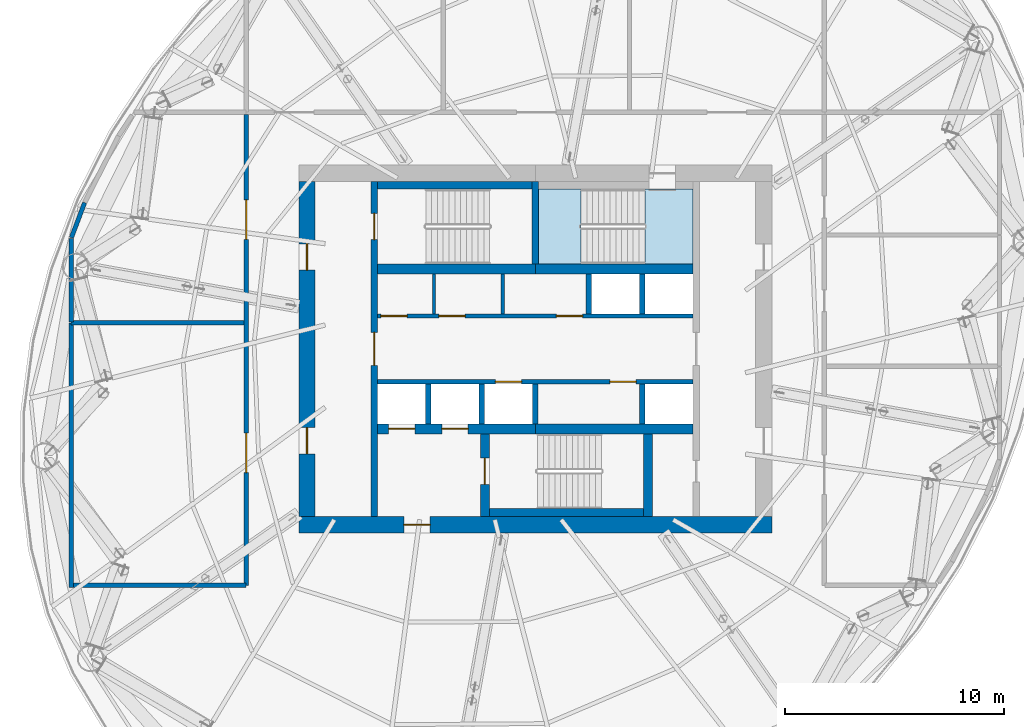
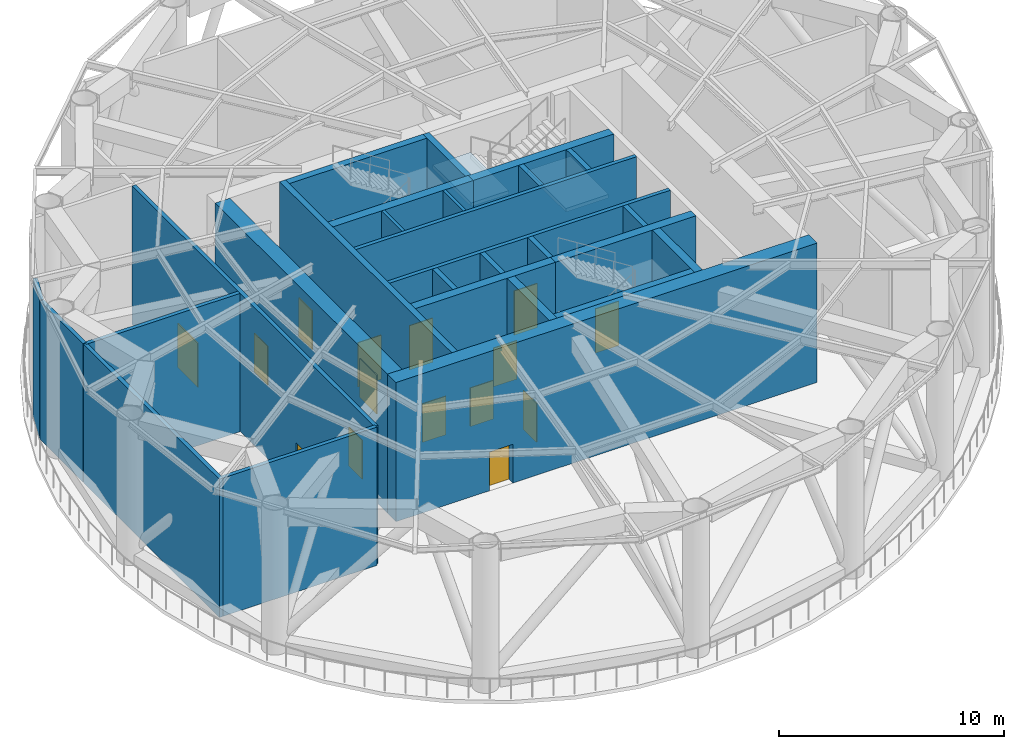
# One storey, part 5 of 15: 28 walls, 15 doors, 2 slabs, 15 openings, 1 element without a shape of its own.
"""IFC4 building model written with IfcOpenShell, lengths in metres."""

from ifc_helpers import new_model, si_unit, direction, frame, frame_2d, origin, place, context, subcontext, project, spatial, polyline, rectangle, outline, extrude, material, layer, layer_set, type_object, element, fill, aggregate, save


model = new_model("IFC4")

# Units and contexts
model_context = context("Model", 3, precision=1e-05, world=origin(), true_north=direction((0.0, 1.0)))
body_context = subcontext(model_context, "Body", "Model", "MODEL_VIEW")
ifc_project = project(units=[si_unit("LENGTHUNIT", "METRE"), si_unit("AREAUNIT", "SQUARE_METRE"), si_unit("VOLUMEUNIT", "CUBIC_METRE"), si_unit("PLANEANGLEUNIT", "RADIAN"), si_unit("MASSUNIT", "GRAM", prefix="KILO")], contexts=[model_context])

# Site, building, storey
site_placement = place(None, origin())
site = spatial("IfcSite", under=ifc_project, at=site_placement, CompositionType="ELEMENT")
building_placement = place(site_placement, origin())
building = spatial("IfcBuilding", under=site, at=building_placement, Name="Vermilion Reach Broadcast Tower", CompositionType="ELEMENT")
storey_placement = place(building_placement, frame((0.0, 0.0, 246.10009765625)))
storey = spatial("IfcBuildingStorey", under=building, at=storey_placement, Name="L61", CompositionType="ELEMENT", Elevation=246.10009765625)

# Stair, slabs
ifc_material_1 = material(Name="Concrete C40", Category="concrete")
stair_type = type_object("IfcStairType", Name="Exit stair RC 48 risers 167 mm", PredefinedType="HALF_TURN_STAIR", material=ifc_material_1)
stair_placement = place(storey_placement, origin())
stair = element("IfcStair", 1, at=stair_placement, inside=storey, type_object=stair_type, Name="L61 Exit stair ST2", PredefinedType="HALF_TURN_STAIR")
ifc_material_2 = material(Name="Concrete C40", Category="concrete")
ifc_layer_1 = layer(ifc_material_2, 0.199951171875)
ifc_layer_set_1 = layer_set([ifc_layer_1], Name="Exit stair landing Concrete C40")
slab_type = type_object("IfcSlabType", Name="Exit stair landing Concrete C40", PredefinedType="LANDING", material=ifc_layer_set_1)
slab_1_placement = place(storey_placement, frame((0.0, 0.0, 3.7998046875)))
slab_1 = element("IfcSlab", 2, at=slab_1_placement, type_object=slab_type, Name="ST2 landing 2", PredefinedType="LANDING", context=body_context, shape_type="SweptSolid", body=[
    extrude(outline(polyline([(1.199951171875, 7.300048828125), (-1.0, 7.300048828125), (-1.0, 3.8798828125), (1.199951171875, 3.8798828125), (1.199951171875, 7.300048828125)])), origin(), (0.0, 0.0, 1.0), 0.2001953125),
])
slab_2_placement = place(storey_placement, frame((0.0, 0.0, 5.7998046875)))
slab_2 = element("IfcSlab", 3, at=slab_2_placement, type_object=slab_type, Name="ST2 landing 3", PredefinedType="LANDING", context=body_context, shape_type="SweptSolid", body=[
    extrude(outline(polyline([(-3.9150390625, 7.300048828125), (-5.85009765625, 7.300048828125), (-5.85009765625, 3.8798828125), (-3.9150390625, 3.8798828125), (-3.9150390625, 7.300048828125)])), origin(), (0.0, 0.0, 1.0), 0.2001953125),
])
aggregate(stair, [slab_1, slab_2])

# Wall, openings, doors
ifc_material_3 = material(Name="Concrete C60", Category="concrete")
ifc_layer_2 = layer(ifc_material_3, 0.300048828125)
ifc_layer_set_2 = layer_set([ifc_layer_2], Name="Core inner wall 300 mm Concrete C60")
wall_type_1 = type_object("IfcWallType", Name="Core inner wall 300 mm Concrete C60", PredefinedType="SHEAR", material=ifc_layer_set_2)
wall_1_placement = place(storey_placement, frame((-13.35009765625, 7.64990234375, 0.0), z_axis=(0.0, 0.0, 1.0), x_axis=(0.0, -1.0, 0.0)))
wall_1 = element("IfcWall", 4, at=wall_1_placement, inside=storey, type_object=wall_type_1, Name="L61 core wall ewW", PredefinedType="SHEAR", context=body_context, shape_type="SweptSolid", body=[
    extrude(rectangle(XDim=15.2998046875, YDim=0.300048828125, at=frame_2d((7.64990234375, 0.0))), origin(), (0.0, 0.0, 1.0), 7.5498046875),
])
opening_1_placement = place(wall_1_placement, frame((1.4599609375, 0.0, 0.0)))
opening_1 = element("IfcOpeningElement", 5, at=opening_1_placement, cuts=wall_1, Name="Opening D01", PredefinedType="OPENING", context=body_context, shape_type="SweptSolid", body=[
    extrude(rectangle(XDim=1.199951171875, YDim=2.10009765625, at=frame_2d((0.60009765625, 1.050048828125))), frame((0.0, 0.159912109375, 0.0), z_axis=(0.0, -1.0, 0.0), x_axis=(1.0, 0.0, 0.0)), (0.0, 0.0, 1.0), 0.320068359375),
])
opening_2_placement = place(wall_1_placement, frame((6.89990234375, 0.0, 0.0)))
opening_2 = element("IfcOpeningElement", 6, at=opening_2_placement, cuts=wall_1, Name="Opening D04", PredefinedType="OPENING", context=body_context, shape_type="SweptSolid", body=[
    extrude(rectangle(XDim=1.5, YDim=2.10009765625, at=frame_2d((0.75, 1.050048828125))), frame((0.0, 0.159912109375, 0.0), z_axis=(0.0, -1.0, 0.0), x_axis=(1.0, 0.0, 0.0)), (0.0, 0.0, 1.0), 0.320068359375),
])
ifc_material_4 = material(Name="Painted steel fire door", Category="steel")
door_type_1 = type_object("IfcDoorType", Name="Lift lobby door 1500 x 2100", OperationType="DOUBLE_DOOR_SINGLE_SWING", PredefinedType="NOTDEFINED", material=ifc_material_4)
door_1_placement = place(opening_2_placement, origin())
door_1 = element("IfcDoor", 7, at=door_1_placement, inside=storey, type_object=door_type_1, Name="L61 band door BW", OperationType="DOUBLE_DOOR_SINGLE_SWING", OverallHeight=2.10009765625, OverallWidth=1.5, PredefinedType="NOTDEFINED", context=body_context, shape_type="SweptSolid", body=[
    extrude(rectangle(XDim=1.5, YDim=2.10009765625, at=frame_2d((0.75, 1.050048828125))), frame((0.0, 0.02490234375, 0.0), z_axis=(0.0, -1.0, 0.0), x_axis=(1.0, 0.0, 0.0)), (0.0, 0.0, 1.0), 0.050048828125),
])
fill(opening_2, door_1)
ifc_material_5 = material(Name="Painted steel fire door", Category="steel")
door_type_2 = type_object("IfcDoorType", Name="Stair door 1200 x 2100", OperationType="DOUBLE_DOOR_SINGLE_SWING", PredefinedType="NOTDEFINED", material=ifc_material_5)
door_2_placement = place(opening_1_placement, origin())
door_2 = element("IfcDoor", 8, at=door_2_placement, inside=storey, type_object=door_type_2, Name="L61 stair door ST1", OperationType="DOUBLE_DOOR_SINGLE_SWING", OverallHeight=2.10009765625, OverallWidth=1.199951171875, PredefinedType="NOTDEFINED", context=body_context, shape_type="SweptSolid", body=[
    extrude(rectangle(XDim=1.199951171875, YDim=2.10009765625, at=frame_2d((0.60009765625, 1.050048828125))), frame((0.0, 0.02490234375, 0.0), z_axis=(0.0, -1.0, 0.0), x_axis=(1.0, 0.0, 0.0)), (0.0, 0.0, 1.0), 0.050048828125),
])
fill(opening_1, door_2)

# Wall
wall_2_placement = place(storey_placement, frame((-6.0, 3.8798828125, 0.0), z_axis=(0.0, 0.0, 1.0), x_axis=(0.0, 1.0, 0.0)))
element("IfcWall", 9, at=wall_2_placement, inside=storey, type_object=wall_type_1, Name="L61 core wall wc", PredefinedType="SHEAR", context=body_context, shape_type="SweptSolid", body=[
    extrude(rectangle(XDim=3.77001953125, YDim=0.300048828125, at=frame_2d((1.885009765625, 0.0))), origin(), (0.0, 0.0, 1.0), 7.5498046875),
])

# Wall, opening, door
ifc_material_6 = material(Name="Concrete C60", Category="concrete")
ifc_layer_3 = layer(ifc_material_6, 0.39990234375)
ifc_layer_set_3 = layer_set([ifc_layer_3], Name="Core inner wall 400 mm Concrete C60")
wall_type_2 = type_object("IfcWallType", Name="Core inner wall 400 mm Concrete C60", PredefinedType="SHEAR", material=ifc_layer_set_3)
wall_3_placement = place(storey_placement, frame((-8.300048828125, -3.8798828125, 0.0), z_axis=(0.0, 0.0, 1.0), x_axis=(0.0, -1.0, 0.0)))
wall_3 = element("IfcWall", 10, at=wall_3_placement, inside=storey, type_object=wall_type_2, Name="L61 core wall wa", PredefinedType="SHEAR", context=body_context, shape_type="SweptSolid", body=[
    extrude(rectangle(XDim=3.77001953125, YDim=0.39990234375, at=frame_2d((1.885009765625, 0.0))), origin(), (0.0, 0.0, 1.0), 7.5498046875),
])
opening_3_placement = place(wall_3_placement, frame((1.110107421875, 0.0, 0.0)))
opening_3 = element("IfcOpeningElement", 11, at=opening_3_placement, cuts=wall_3, Name="Opening D01", PredefinedType="OPENING", context=body_context, shape_type="SweptSolid", body=[
    extrude(rectangle(XDim=1.199951171875, YDim=2.10009765625, at=frame_2d((0.60009765625, 1.050048828125))), frame((0.0, 0.2099609375, 0.0), z_axis=(0.0, -1.0, 0.0), x_axis=(1.0, 0.0, 0.0)), (0.0, 0.0, 1.0), 0.419921875),
])
door_3_placement = place(opening_3_placement, origin())
door_3 = element("IfcDoor", 12, at=door_3_placement, inside=storey, type_object=door_type_2, Name="L61 stair door ST3", OperationType="DOUBLE_DOOR_SINGLE_SWING", OverallHeight=2.10009765625, OverallWidth=1.199951171875, PredefinedType="NOTDEFINED", context=body_context, shape_type="SweptSolid", body=[
    extrude(rectangle(XDim=1.199951171875, YDim=2.10009765625, at=frame_2d((0.60009765625, 1.050048828125))), frame((0.0, 0.02490234375, 0.0), z_axis=(0.0, -1.0, 0.0), x_axis=(1.0, 0.0, 0.0)), (0.0, 0.0, 1.0), 0.050048828125),
])
fill(opening_3, door_3)

# Walls
wall_4_placement = place(storey_placement, frame((-0.85009765625, -3.8798828125, 0.0), z_axis=(0.0, 0.0, 1.0), x_axis=(0.0, -1.0, 0.0)))
element("IfcWall", 13, at=wall_4_placement, inside=storey, type_object=wall_type_2, Name="L61 core wall wb", PredefinedType="SHEAR", context=body_context, shape_type="SweptSolid", body=[
    extrude(rectangle(XDim=3.77001953125, YDim=0.39990234375, at=frame_2d((1.885009765625, 0.0))), origin(), (0.0, 0.0, 1.0), 7.5498046875),
])
ifc_material_7 = material(Name="Concrete C60", Category="concrete")
ifc_layer_4 = layer(ifc_material_7, 0.449951171875)
ifc_layer_set_4 = layer_set([ifc_layer_4], Name="Core inner wall 450 mm Concrete C60")
wall_type_3 = type_object("IfcWallType", Name="Core inner wall 450 mm Concrete C60", PredefinedType="SHEAR", material=ifc_layer_set_4)
for number, where, z_axis, x_axis, name in (
    (14, (-13.199951171875, 3.655029296875, 0.0), (0.0, 0.0, 1.0), (1.0, 0.0, 0.0), "L61 core wall winW"),
    (15, (-6.0, 3.655029296875, 0.0), (0.0, 0.0, 1.0), (1.0, 0.0, 0.0), "L61 core wall winE"),
):
    element("IfcWall", number, at=place(storey_placement, frame(where, z_axis=z_axis, x_axis=x_axis)), inside=storey, type_object=wall_type_3, Name=name, PredefinedType="SHEAR", context=body_context, shape_type="SweptSolid", body=[
        extrude(rectangle(XDim=7.199951171875, YDim=0.449951171875, at=frame_2d((3.60009765625, 0.0))), origin(), (0.0, 0.0, 1.0), 7.5498046875),
    ])

# Wall, openings, doors
wall_5_placement = place(storey_placement, frame((-13.199951171875, -3.655029296875, 0.0), z_axis=(0.0, 0.0, 1.0), x_axis=(1.0, 0.0, 0.0)))
wall_5 = element("IfcWall", 16, at=wall_5_placement, inside=storey, type_object=wall_type_3, Name="L61 core wall wisW", PredefinedType="SHEAR", context=body_context, shape_type="SweptSolid", body=[
    extrude(rectangle(XDim=7.199951171875, YDim=0.449951171875, at=frame_2d((3.60009765625, 0.0))), origin(), (0.0, 0.0, 1.0), 7.5498046875),
])
opening_4_placement = place(wall_5_placement, frame((0.495849609375, 0.0, 0.0)))
opening_4 = element("IfcOpeningElement", 17, at=opening_4_placement, cuts=wall_5, Name="Opening LD1", PredefinedType="OPENING", context=body_context, shape_type="SweptSolid", body=[
    extrude(rectangle(XDim=1.199951171875, YDim=2.10009765625, at=frame_2d((0.60009765625, 1.050048828125))), frame((0.0, 0.23486328125, 0.0), z_axis=(0.0, -1.0, 0.0), x_axis=(1.0, 0.0, 0.0)), (0.0, 0.0, 1.0), 0.469970703125),
])
opening_5_placement = place(wall_5_placement, frame((2.9375, 0.0, 0.0)))
opening_5 = element("IfcOpeningElement", 18, at=opening_5_placement, cuts=wall_5, Name="Opening LD1", PredefinedType="OPENING", context=body_context, shape_type="SweptSolid", body=[
    extrude(rectangle(XDim=1.199951171875, YDim=2.10009765625, at=frame_2d((0.60009765625, 1.050048828125))), frame((0.0, 0.23486328125, 0.0), z_axis=(0.0, -1.0, 0.0), x_axis=(1.0, 0.0, 0.0)), (0.0, 0.0, 1.0), 0.469970703125),
])
ifc_material_8 = material(Name="Stainless steel", Category="steel")
door_type_3 = type_object("IfcDoorType", Name="Landing door 1200 x 2100", OperationType="DOUBLE_DOOR_SLIDING", PredefinedType="NOTDEFINED", material=ifc_material_8)
door_4_placement = place(opening_4_placement, origin())
door_4 = element("IfcDoor", 19, at=door_4_placement, inside=storey, type_object=door_type_3, Name="L61 landing door FF1", OperationType="DOUBLE_DOOR_SLIDING", OverallHeight=2.10009765625, OverallWidth=1.199951171875, PredefinedType="NOTDEFINED", context=body_context, shape_type="SweptSolid", body=[
    extrude(rectangle(XDim=1.199951171875, YDim=2.10009765625, at=frame_2d((0.60009765625, 1.050048828125))), frame((0.0, 0.02490234375, 0.0), z_axis=(0.0, -1.0, 0.0), x_axis=(1.0, 0.0, 0.0)), (0.0, 0.0, 1.0), 0.050048828125),
])
fill(opening_4, door_4)
door_5_placement = place(opening_5_placement, origin())
door_5 = element("IfcDoor", 20, at=door_5_placement, inside=storey, type_object=door_type_3, Name="L61 landing door FF2", OperationType="DOUBLE_DOOR_SLIDING", OverallHeight=2.10009765625, OverallWidth=1.199951171875, PredefinedType="NOTDEFINED", context=body_context, shape_type="SweptSolid", body=[
    extrude(rectangle(XDim=1.199951171875, YDim=2.10009765625, at=frame_2d((0.60009765625, 1.050048828125))), frame((0.0, 0.02490234375, 0.0), z_axis=(0.0, -1.0, 0.0), x_axis=(1.0, 0.0, 0.0)), (0.0, 0.0, 1.0), 0.050048828125),
])
fill(opening_5, door_5)

# Wall
wall_6_placement = place(storey_placement, frame((-6.0, -3.655029296875, 0.0), z_axis=(0.0, 0.0, 1.0), x_axis=(1.0, 0.0, 0.0)))
element("IfcWall", 21, at=wall_6_placement, inside=storey, type_object=wall_type_3, Name="L61 core wall wisE", PredefinedType="SHEAR", context=body_context, shape_type="SweptSolid", body=[
    extrude(rectangle(XDim=7.199951171875, YDim=0.449951171875, at=frame_2d((3.60009765625, 0.0))), origin(), (0.0, 0.0, 1.0), 7.5498046875),
])

# Wall, opening, door
ifc_material_9 = material(Name="Concrete C60", Category="concrete")
ifc_layer_5 = layer(ifc_material_9, 0.75)
ifc_layer_set_5 = layer_set([ifc_layer_5], Name="Core outer wall 750 mm Concrete C60")
wall_type_4 = type_object("IfcWallType", Name="Core outer wall 750 mm Concrete C60", PredefinedType="SHEAR", material=ifc_layer_set_5)
wall_7_placement = place(storey_placement, frame((-16.800048828125, -8.02490234375, 0.0), z_axis=(0.0, 0.0, 1.0), x_axis=(1.0, 0.0, 0.0)))
wall_7 = element("IfcWall", 22, at=wall_7_placement, inside=storey, type_object=wall_type_4, Name="L61 core wall os", PredefinedType="SHEAR", context=body_context, shape_type="SweptSolid", body=[
    extrude(rectangle(XDim=21.60009765625, YDim=0.75, at=frame_2d((10.800048828125, 0.0))), origin(), (0.0, 0.0, 1.0), 7.5498046875),
])
opening_6_placement = place(wall_7_placement, frame((4.800048828125, 0.0, 0.0)))
opening_6 = element("IfcOpeningElement", 23, at=opening_6_placement, cuts=wall_7, Name="Opening D02", PredefinedType="OPENING", context=body_context, shape_type="SweptSolid", body=[
    extrude(rectangle(XDim=1.199951171875, YDim=2.10009765625, at=frame_2d((0.60009765625, 1.050048828125))), frame((0.0, 0.385009765625, 0.0), z_axis=(0.0, -1.0, 0.0), x_axis=(1.0, 0.0, 0.0)), (0.0, 0.0, 1.0), 0.77001953125),
])
ifc_material_10 = material(Name="Painted steel fire door", Category="steel")
door_type_4 = type_object("IfcDoorType", Name="Firefighting lobby door 1200 x 2100", OperationType="DOUBLE_DOOR_SINGLE_SWING", PredefinedType="NOTDEFINED", material=ifc_material_10)
door_6_placement = place(opening_6_placement, origin())
door_6 = element("IfcDoor", 24, at=door_6_placement, inside=storey, type_object=door_type_4, Name="L61 ffdoor door FFL", OperationType="DOUBLE_DOOR_SINGLE_SWING", OverallHeight=2.10009765625, OverallWidth=1.199951171875, PredefinedType="NOTDEFINED", context=body_context, shape_type="SweptSolid", body=[
    extrude(rectangle(XDim=1.199951171875, YDim=2.10009765625, at=frame_2d((0.60009765625, 1.050048828125))), frame((0.0, 0.02490234375, 0.0), z_axis=(0.0, -1.0, 0.0), x_axis=(1.0, 0.0, 0.0)), (0.0, 0.0, 1.0), 0.050048828125),
])
fill(opening_6, door_6)

# Wall, openings, doors
wall_8_placement = place(storey_placement, frame((-16.425048828125, 7.64990234375, 0.0), z_axis=(0.0, 0.0, 1.0), x_axis=(0.0, -1.0, 0.0)))
wall_8 = element("IfcWall", 25, at=wall_8_placement, inside=storey, type_object=wall_type_4, Name="L61 core wall ow", PredefinedType="SHEAR", context=body_context, shape_type="SweptSolid", body=[
    extrude(rectangle(XDim=15.2998046875, YDim=0.75, at=frame_2d((7.64990234375, 0.0))), origin(), (0.0, 0.0, 1.0), 7.5498046875),
])
opening_7_placement = place(wall_8_placement, frame((11.25, 0.0, 0.0)))
opening_7 = element("IfcOpeningElement", 26, at=opening_7_placement, cuts=wall_8, Name="Opening D03", PredefinedType="OPENING", context=body_context, shape_type="SweptSolid", body=[
    extrude(rectangle(XDim=1.199951171875, YDim=2.10009765625, at=frame_2d((0.60009765625, 1.050048828125))), frame((0.0, 0.385009765625, 0.0), z_axis=(0.0, -1.0, 0.0), x_axis=(1.0, 0.0, 0.0)), (0.0, 0.0, 1.0), 0.77001953125),
])
opening_8_placement = place(wall_8_placement, frame((2.85009765625, 0.0, 0.0)))
opening_8 = element("IfcOpeningElement", 27, at=opening_8_placement, cuts=wall_8, Name="Opening D03", PredefinedType="OPENING", context=body_context, shape_type="SweptSolid", body=[
    extrude(rectangle(XDim=1.199951171875, YDim=2.10009765625, at=frame_2d((0.60009765625, 1.050048828125))), frame((0.0, 0.385009765625, 0.0), z_axis=(0.0, -1.0, 0.0), x_axis=(1.0, 0.0, 0.0)), (0.0, 0.0, 1.0), 0.77001953125),
])
ifc_material_11 = material(Name="Painted steel fire door", Category="steel")
door_type_5 = type_object("IfcDoorType", Name="Core lobby door 1200 x 2100", OperationType="DOUBLE_DOOR_SINGLE_SWING", PredefinedType="NOTDEFINED", material=ifc_material_11)
door_7_placement = place(opening_7_placement, origin())
door_7 = element("IfcDoor", 28, at=door_7_placement, inside=storey, type_object=door_type_5, Name="L61 slot door W0", OperationType="DOUBLE_DOOR_SINGLE_SWING", OverallHeight=2.10009765625, OverallWidth=1.199951171875, PredefinedType="NOTDEFINED", context=body_context, shape_type="SweptSolid", body=[
    extrude(rectangle(XDim=1.199951171875, YDim=2.10009765625, at=frame_2d((0.60009765625, 1.050048828125))), frame((0.0, 0.02490234375, 0.0), z_axis=(0.0, -1.0, 0.0), x_axis=(1.0, 0.0, 0.0)), (0.0, 0.0, 1.0), 0.050048828125),
])
fill(opening_7, door_7)
door_8_placement = place(opening_8_placement, origin())
door_8 = element("IfcDoor", 29, at=door_8_placement, inside=storey, type_object=door_type_5, Name="L61 slot door W1", OperationType="DOUBLE_DOOR_SINGLE_SWING", OverallHeight=2.10009765625, OverallWidth=1.199951171875, PredefinedType="NOTDEFINED", context=body_context, shape_type="SweptSolid", body=[
    extrude(rectangle(XDim=1.199951171875, YDim=2.10009765625, at=frame_2d((0.60009765625, 1.050048828125))), frame((0.0, 0.02490234375, 0.0), z_axis=(0.0, -1.0, 0.0), x_axis=(1.0, 0.0, 0.0)), (0.0, 0.0, 1.0), 0.050048828125),
])
fill(opening_8, door_8)

# Walls
ifc_material_12 = material(Name="Masonry block", Category="masonry")
ifc_layer_6 = layer(ifc_material_12, 0.14990234375)
ifc_layer_set_6 = layer_set([ifc_layer_6], Name="Core partition wall 150 mm Masonry block")
wall_type_5 = type_object("IfcWallType", Name="Core partition wall 150 mm Masonry block", PredefinedType="PARTITIONING", material=ifc_layer_set_6)
for number, where, z_axis, x_axis, name in (
    (30, (-10.630615234375, 1.60009765625, 0.0), (0.0, 0.0, 1.0), (0.0, 1.0, 0.0), "L61 core wall prN-4630"),
    (31, (-7.489990234375, 1.60009765625, 0.0), (0.0, 0.0, 1.0), (0.0, 1.0, 0.0), "L61 core wall prN-1490"),
):
    element("IfcWall", number, at=place(storey_placement, frame(where, z_axis=z_axis, x_axis=x_axis)), inside=storey, type_object=wall_type_5, Name=name, PredefinedType="PARTITIONING", context=body_context, shape_type="SweptSolid", body=[
        extrude(rectangle(XDim=1.829833984375, YDim=0.14990234375, at=frame_2d((0.9150390625, 0.0))), origin(), (0.0, 0.0, 1.0), 7.5498046875),
    ])

# Wall, openings, doors
ifc_material_13 = material(Name="Concrete C50", Category="concrete")
ifc_layer_7 = layer(ifc_material_13, 0.199951171875)
ifc_layer_set_7 = layer_set([ifc_layer_7], Name="Core shaft wall 200 mm Concrete C50")
wall_type_6 = type_object("IfcWallType", Name="Core shaft wall 200 mm Concrete C50", PredefinedType="SHEAR", material=ifc_layer_set_7)
wall_9_placement = place(storey_placement, frame((-13.199951171875, 1.5, 0.0), z_axis=(0.0, 0.0, 1.0), x_axis=(1.0, 0.0, 0.0)))
wall_9 = element("IfcWall", 32, at=wall_9_placement, inside=storey, type_object=wall_type_6, Name="L61 core wall fn", PredefinedType="SHEAR", context=body_context, shape_type="SweptSolid", body=[
    extrude(rectangle(XDim=14.39990234375, YDim=0.199951171875, at=frame_2d((7.199951171875, 0.0))), origin(), (0.0, 0.0, 1.0), 7.5498046875),
])
opening_9_placement = place(wall_9_placement, frame((0.14990234375, 0.0, 0.0)))
opening_9 = element("IfcOpeningElement", 33, at=opening_9_placement, cuts=wall_9, Name="Opening D09", PredefinedType="OPENING", context=body_context, shape_type="SweptSolid", body=[
    extrude(rectangle(XDim=1.199951171875, YDim=2.39990234375, at=frame_2d((0.60009765625, 1.199951171875))), frame((0.0, 0.10986328125, 0.0), z_axis=(0.0, -1.0, 0.0), x_axis=(1.0, 0.0, 0.0)), (0.0, 0.0, 1.0), 0.219970703125),
])
opening_10_placement = place(wall_9_placement, frame((2.79443359375, 0.0, 0.0)))
opening_10 = element("IfcOpeningElement", 34, at=opening_10_placement, cuts=wall_9, Name="Opening D09", PredefinedType="OPENING", context=body_context, shape_type="SweptSolid", body=[
    extrude(rectangle(XDim=1.199951171875, YDim=2.39990234375, at=frame_2d((0.60009765625, 1.199951171875))), frame((0.0, 0.10986328125, 0.0), z_axis=(0.0, -1.0, 0.0), x_axis=(1.0, 0.0, 0.0)), (0.0, 0.0, 1.0), 0.219970703125),
])
opening_11_placement = place(wall_9_placement, frame((8.166748046875, 0.0, 0.0)))
opening_11 = element("IfcOpeningElement", 35, at=opening_11_placement, cuts=wall_9, Name="Opening D09", PredefinedType="OPENING", context=body_context, shape_type="SweptSolid", body=[
    extrude(rectangle(XDim=1.199951171875, YDim=2.39990234375, at=frame_2d((0.60009765625, 1.199951171875))), frame((0.0, 0.10986328125, 0.0), z_axis=(0.0, -1.0, 0.0), x_axis=(1.0, 0.0, 0.0)), (0.0, 0.0, 1.0), 0.219970703125),
])
ifc_material_14 = material(Name="Painted steel fire door", Category="steel")
door_type_6 = type_object("IfcDoorType", Name="Plant room door 1200 x 2400", OperationType="DOUBLE_DOOR_SINGLE_SWING", PredefinedType="NOTDEFINED", material=ifc_material_14)
door_9_placement = place(opening_9_placement, origin())
door_9 = element("IfcDoor", 36, at=door_9_placement, inside=storey, type_object=door_type_6, Name="L61 door Plant room", OperationType="DOUBLE_DOOR_SINGLE_SWING", OverallHeight=2.39990234375, OverallWidth=1.199951171875, PredefinedType="NOTDEFINED", context=body_context, shape_type="SweptSolid", body=[
    extrude(rectangle(XDim=1.199951171875, YDim=2.39990234375, at=frame_2d((0.60009765625, 1.199951171875))), frame((0.0, 0.02490234375, 0.0), z_axis=(0.0, -1.0, 0.0), x_axis=(1.0, 0.0, 0.0)), (0.0, 0.0, 1.0), 0.050048828125),
])
fill(opening_9, door_9)
door_10_placement = place(opening_10_placement, origin())
door_10 = element("IfcDoor", 37, at=door_10_placement, inside=storey, type_object=door_type_6, Name="L61 door Plant room", OperationType="DOUBLE_DOOR_SINGLE_SWING", OverallHeight=2.39990234375, OverallWidth=1.199951171875, PredefinedType="NOTDEFINED", context=body_context, shape_type="SweptSolid", body=[
    extrude(rectangle(XDim=1.199951171875, YDim=2.39990234375, at=frame_2d((0.60009765625, 1.199951171875))), frame((0.0, 0.02490234375, 0.0), z_axis=(0.0, -1.0, 0.0), x_axis=(1.0, 0.0, 0.0)), (0.0, 0.0, 1.0), 0.050048828125),
])
fill(opening_10, door_10)
door_11_placement = place(opening_11_placement, origin())
door_11 = element("IfcDoor", 38, at=door_11_placement, inside=storey, type_object=door_type_6, Name="L61 door Plant room", OperationType="DOUBLE_DOOR_SINGLE_SWING", OverallHeight=2.39990234375, OverallWidth=1.199951171875, PredefinedType="NOTDEFINED", context=body_context, shape_type="SweptSolid", body=[
    extrude(rectangle(XDim=1.199951171875, YDim=2.39990234375, at=frame_2d((0.60009765625, 1.199951171875))), frame((0.0, 0.02490234375, 0.0), z_axis=(0.0, -1.0, 0.0), x_axis=(1.0, 0.0, 0.0)), (0.0, 0.0, 1.0), 0.050048828125),
])
fill(opening_11, door_11)

wall_10_placement = place(storey_placement, frame((1.199951171875, -1.5, 0.0), z_axis=(0.0, 0.0, 1.0), x_axis=(-1.0, 0.0, 0.0)))
wall_10 = element("IfcWall", 39, at=wall_10_placement, inside=storey, type_object=wall_type_6, Name="L61 core wall fs", PredefinedType="SHEAR", context=body_context, shape_type="SweptSolid", body=[
    extrude(rectangle(XDim=14.39990234375, YDim=0.199951171875, at=frame_2d((7.199951171875, 0.0))), origin(), (0.0, 0.0, 1.0), 7.5498046875),
])
opening_12_placement = place(wall_10_placement, frame((7.82080078125, 0.0, 0.0)))
opening_12 = element("IfcOpeningElement", 40, at=opening_12_placement, cuts=wall_10, Name="Opening LD1", PredefinedType="OPENING", context=body_context, shape_type="SweptSolid", body=[
    extrude(rectangle(XDim=1.199951171875, YDim=2.10009765625, at=frame_2d((0.60009765625, 1.050048828125))), frame((0.0, 0.10986328125, 0.0), z_axis=(0.0, -1.0, 0.0), x_axis=(1.0, 0.0, 0.0)), (0.0, 0.0, 1.0), 0.219970703125),
])
opening_13_placement = place(wall_10_placement, frame((2.591552734375, 0.0, 0.0)))
opening_13 = element("IfcOpeningElement", 41, at=opening_13_placement, cuts=wall_10, Name="Opening D09", PredefinedType="OPENING", context=body_context, shape_type="SweptSolid", body=[
    extrude(rectangle(XDim=1.199951171875, YDim=2.39990234375, at=frame_2d((0.60009765625, 1.199951171875))), frame((0.0, 0.10986328125, 0.0), z_axis=(0.0, -1.0, 0.0), x_axis=(1.0, 0.0, 0.0)), (0.0, 0.0, 1.0), 0.219970703125),
])
door_12_placement = place(opening_12_placement, origin())
door_12 = element("IfcDoor", 42, at=door_12_placement, inside=storey, type_object=door_type_3, Name="L61 landing door SV1", OperationType="DOUBLE_DOOR_SLIDING", OverallHeight=2.10009765625, OverallWidth=1.199951171875, PredefinedType="NOTDEFINED", context=body_context, shape_type="SweptSolid", body=[
    extrude(rectangle(XDim=1.199951171875, YDim=2.10009765625, at=frame_2d((0.60009765625, 1.050048828125))), frame((0.0, 0.02490234375, 0.0), z_axis=(0.0, -1.0, 0.0), x_axis=(1.0, 0.0, 0.0)), (0.0, 0.0, 1.0), 0.050048828125),
])
fill(opening_12, door_12)
door_13_placement = place(opening_13_placement, origin())
door_13 = element("IfcDoor", 43, at=door_13_placement, inside=storey, type_object=door_type_6, Name="L61 door Plant room", OperationType="DOUBLE_DOOR_SINGLE_SWING", OverallHeight=2.39990234375, OverallWidth=1.199951171875, PredefinedType="NOTDEFINED", context=body_context, shape_type="SweptSolid", body=[
    extrude(rectangle(XDim=1.199951171875, YDim=2.39990234375, at=frame_2d((0.60009765625, 1.199951171875))), frame((0.0, 0.02490234375, 0.0), z_axis=(0.0, -1.0, 0.0), x_axis=(1.0, 0.0, 0.0)), (0.0, 0.0, 1.0), 0.050048828125),
])
fill(opening_13, door_13)

# Walls
ifc_material_15 = material(Name="Concrete C50", Category="concrete")
ifc_layer_8 = layer(ifc_material_15, 0.25)
ifc_layer_set_8 = layer_set([ifc_layer_8], Name="Core shaft wall 250 mm Concrete C50")
wall_type_7 = type_object("IfcWallType", Name="Core shaft wall 250 mm Concrete C50", PredefinedType="SHEAR", material=ifc_layer_set_8)
for number, where, z_axis, x_axis, name in (
    (44, (-3.558349609375, 1.60009765625, 0.0), (0.0, 0.0, 1.0), (0.0, 1.0, 0.0), "L61 core wall psN3"),
    (45, (-1.11669921875, 1.60009765625, 0.0), (0.0, 0.0, 1.0), (0.0, 1.0, 0.0), "L61 core wall psN4"),
    (46, (-10.88330078125, -1.60009765625, 0.0), (0.0, 0.0, 1.0), (0.0, -1.0, 0.0), "L61 core wall psS0"),
    (47, (-8.441650390625, -1.60009765625, 0.0), (0.0, 0.0, 1.0), (0.0, -1.0, 0.0), "L61 core wall psS1"),
    (48, (-6.0, -1.60009765625, 0.0), (0.0, 0.0, 1.0), (0.0, -1.0, 0.0), "L61 core wall psS2"),
    (49, (-1.11669921875, -1.60009765625, 0.0), (0.0, 0.0, 1.0), (0.0, -1.0, 0.0), "L61 core wall psS4"),
):
    element("IfcWall", number, at=place(storey_placement, frame(where, z_axis=z_axis, x_axis=x_axis)), inside=storey, type_object=wall_type_7, Name=name, PredefinedType="SHEAR", context=body_context, shape_type="SweptSolid", body=[
        extrude(rectangle(XDim=1.829833984375, YDim=0.25, at=frame_2d((0.9150390625, 0.0))), origin(), (0.0, 0.0, 1.0), 7.5498046875),
    ])
ifc_material_16 = material(Name="Concrete C60", Category="concrete")
ifc_layer_9 = layer(ifc_material_16, 0.35009765625)
ifc_layer_set_9 = layer_set([ifc_layer_9], Name="Core stair wall 350 mm Concrete C60")
wall_type_8 = type_object("IfcWallType", Name="Core stair wall 350 mm Concrete C60", PredefinedType="SHEAR", material=ifc_layer_set_9)
for number, where, z_axis, x_axis, name in (
    (50, (-13.199951171875, 7.47509765625, 0.0), (0.0, 0.0, 1.0), (1.0, 0.0, 0.0), "L61 core wall l1a"),
    (51, (-8.10009765625, -7.47509765625, 0.0), (0.0, 0.0, 1.0), (1.0, 0.0, 0.0), "L61 core wall l3"),
):
    element("IfcWall", number, at=place(storey_placement, frame(where, z_axis=z_axis, x_axis=x_axis)), inside=storey, type_object=wall_type_8, Name=name, PredefinedType="SHEAR", context=body_context, shape_type="SweptSolid", body=[
        extrude(rectangle(XDim=7.050048828125, YDim=0.35009765625, at=frame_2d((3.52490234375, 0.0))), origin(), (0.0, 0.0, 1.0), 7.5498046875),
    ])

# Wall, openings, doors
ifc_material_17 = material(Name="Gypsum board shaft wall")
ifc_layer_10 = layer(ifc_material_17, 0.199951171875)
ifc_layer_set_10 = layer_set([ifc_layer_10], Name="Plant room wall 200")
wall_type_9 = type_object("IfcWallType", Name="Plant room wall 200", PredefinedType="PARTITIONING", material=ifc_layer_set_10)
wall_11_placement = place(storey_placement, frame((-19.199951171875, 10.699951171875, 0.0), z_axis=(0.0, 0.0, 1.0), x_axis=(0.0, -1.0, 0.0)))
wall_11 = element("IfcWall", 52, at=wall_11_placement, inside=storey, type_object=wall_type_9, Name="sp.wall.L61.002", PredefinedType="PARTITIONING", context=body_context, shape_type="SweptSolid", body=[
    extrude(rectangle(XDim=21.5, YDim=0.199951171875, at=frame_2d((10.75, 0.0))), origin(), (0.0, 0.0, 1.0), 7.5),
])
opening_14_placement = place(wall_11_placement, frame((14.5498046875, 0.0, 0.0)))
opening_14 = element("IfcOpeningElement", 53, at=opening_14_placement, cuts=wall_11, Name="Opening D53", PredefinedType="OPENING", context=body_context, shape_type="SweptSolid", body=[
    extrude(rectangle(XDim=1.800048828125, YDim=2.39990234375, at=frame_2d((0.89990234375, 1.199951171875))), frame((0.0, 0.10986328125, 0.0), z_axis=(0.0, -1.0, 0.0), x_axis=(1.0, 0.0, 0.0)), (0.0, 0.0, 1.0), 0.219970703125),
])
opening_15_placement = place(wall_11_placement, frame((3.900146484375, 0.0, 0.0)))
opening_15 = element("IfcOpeningElement", 54, at=opening_15_placement, cuts=wall_11, Name="Opening D53", PredefinedType="OPENING", context=body_context, shape_type="SweptSolid", body=[
    extrude(rectangle(XDim=1.800048828125, YDim=2.39990234375, at=frame_2d((0.89990234375, 1.199951171875))), frame((0.0, 0.10986328125, 0.0), z_axis=(0.0, -1.0, 0.0), x_axis=(1.0, 0.0, 0.0)), (0.0, 0.0, 1.0), 0.219970703125),
])
ifc_material_18 = material(Name="Timber and steel door set", Category="steel")
door_type_7 = type_object("IfcDoorType", Name="Plant double door 1800x2400", OperationType="NOTDEFINED", PredefinedType="DOOR", material=ifc_material_18)
door_14_placement = place(opening_14_placement, origin())
door_14 = element("IfcDoor", 55, at=door_14_placement, inside=storey, type_object=door_type_7, Name="sp.door.L61.003", OperationType="DOUBLE_DOOR_SINGLE_SWING", OverallHeight=2.39990234375, OverallWidth=1.800048828125, PredefinedType="DOOR", context=body_context, shape_type="SweptSolid", body=[
    extrude(rectangle(XDim=1.800048828125, YDim=2.39990234375, at=frame_2d((0.89990234375, 1.199951171875))), frame((0.0, 0.02490234375, 0.0), z_axis=(0.0, -1.0, 0.0), x_axis=(1.0, 0.0, 0.0)), (0.0, 0.0, 1.0), 0.050048828125),
])
fill(opening_14, door_14)
door_15_placement = place(opening_15_placement, origin())
door_15 = element("IfcDoor", 56, at=door_15_placement, inside=storey, type_object=door_type_7, Name="sp.door.L61.004", OperationType="DOUBLE_DOOR_SINGLE_SWING", OverallHeight=2.39990234375, OverallWidth=1.800048828125, PredefinedType="DOOR", context=body_context, shape_type="SweptSolid", body=[
    extrude(rectangle(XDim=1.800048828125, YDim=2.39990234375, at=frame_2d((0.89990234375, 1.199951171875))), frame((0.0, 0.02490234375, 0.0), z_axis=(0.0, -1.0, 0.0), x_axis=(1.0, 0.0, 0.0)), (0.0, 0.0, 1.0), 0.050048828125),
])
fill(opening_15, door_15)

# Walls
wall_12_placement = place(storey_placement, frame((-27.199951171875, 1.199951171875, 0.0), z_axis=(0.0, 0.0, 1.0), x_axis=(1.0, 0.0, 0.0)))
element("IfcWall", 57, at=wall_12_placement, inside=storey, type_object=wall_type_9, Name="sp.wall.L61.009", PredefinedType="PARTITIONING", context=body_context, shape_type="SweptSolid", body=[
    extrude(rectangle(XDim=7.89990234375, YDim=0.199951171875, at=frame_2d((3.949951171875, 0.0))), origin(), (0.0, 0.0, 1.0), 7.5),
])
wall_13_placement = place(storey_placement, frame((-27.10009765625, -10.800048828125, 0.0), z_axis=(0.0, 0.0, 1.0), x_axis=(1.0, 0.0, 0.0)))
element("IfcWall", 58, at=wall_13_placement, inside=storey, type_object=wall_type_9, Name="sp.wall.L61.018", PredefinedType="PARTITIONING", context=body_context, shape_type="SweptSolid", body=[
    extrude(rectangle(XDim=7.880126953125, YDim=0.199951171875, at=frame_2d((3.93994140625, 0.0))), origin(), (0.0, 0.0, 1.0), 7.5),
])
wall_14_placement = place(storey_placement, frame((-27.199951171875, -10.89990234375, 0.0), z_axis=(0.0, 0.0, 1.0), x_axis=(0.0, 1.0, 0.0)))
element("IfcWall", 59, at=wall_14_placement, inside=storey, type_object=wall_type_9, Name="sp.wall.L61.020", PredefinedType="PARTITIONING", context=body_context, shape_type="SweptSolid", body=[
    extrude(rectangle(XDim=12.079833984375, YDim=0.199951171875, at=frame_2d((6.0400390625, 0.0))), origin(), (0.0, 0.0, 1.0), 7.5),
])
wall_15_placement = place(storey_placement, frame((-27.199951171875, 1.219970703125, 0.0), z_axis=(0.0, 0.0, 1.0), x_axis=(0.0, 1.0, 0.0)))
element("IfcWall", 60, at=wall_15_placement, inside=storey, type_object=wall_type_9, Name="sp.wall.L61.021", PredefinedType="PARTITIONING", context=body_context, shape_type="SweptSolid", body=[
    extrude(rectangle(XDim=3.822509765625, YDim=0.199951171875, at=frame_2d((1.9111328125, 0.0))), origin(), (0.0, 0.0, 1.0), 7.5),
])
wall_16_placement = place(storey_placement, frame((-27.186767578125, 5.077880859375, 0.0), z_axis=(0.0, 0.0, 1.0), x_axis=(0.353439463302, 0.935457399233, 0.0)))
element("IfcWall", 61, at=wall_16_placement, inside=storey, type_object=wall_type_9, Name="sp.wall.L61.022", PredefinedType="PARTITIONING", context=body_context, shape_type="SweptSolid", body=[
    extrude(rectangle(XDim=1.708984375, YDim=0.199951171875, at=frame_2d((0.8544921875, 0.0))), origin(), (0.0, 0.0, 1.0), 7.5),
])

save(model, "model.ifc")
